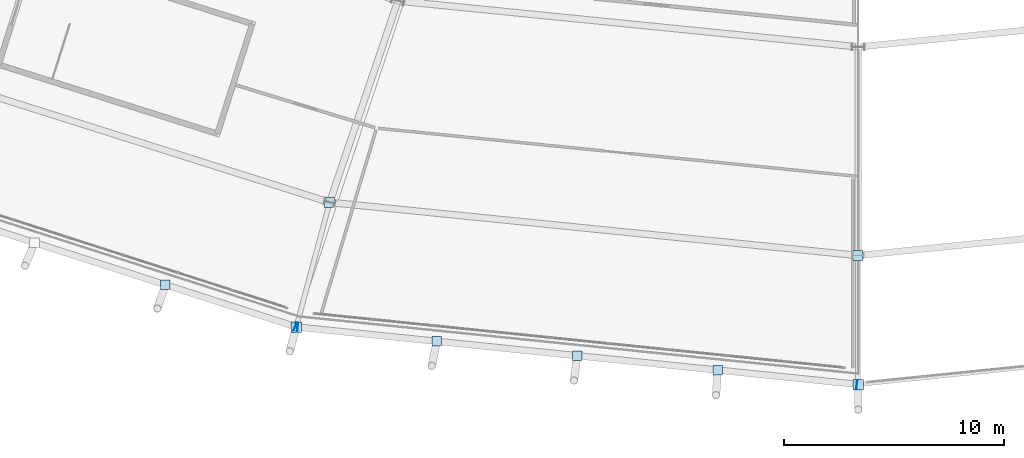
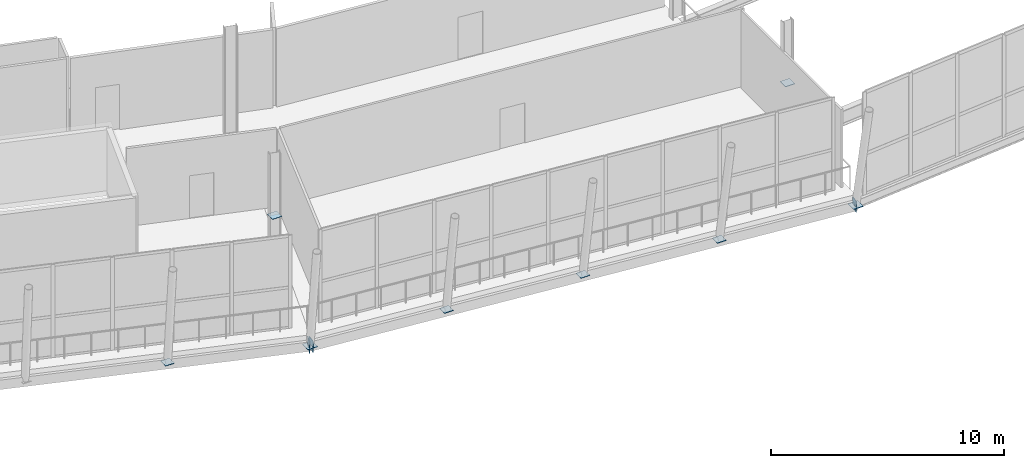
# One storey, part 66 of 99: 11 plates.
"""IFC4 building model written with IfcOpenShell, lengths in metres."""

from ifc_helpers import new_model, si_unit, direction, frame, origin, origin_2d, place, context, subcontext, project, spatial, rectangle, extrude, material, layer, layer_set, type_object, element, save


model = new_model("IFC4")

# Units and contexts
model_context = context("Model", 3, precision=1e-05, world=origin(), true_north=direction((0.0, 1.0)))
body_context = subcontext(model_context, "Body", "Model", "MODEL_VIEW")
ifc_project = project(units=[si_unit("LENGTHUNIT", "METRE"), si_unit("AREAUNIT", "SQUARE_METRE"), si_unit("VOLUMEUNIT", "CUBIC_METRE"), si_unit("PLANEANGLEUNIT", "RADIAN"), si_unit("MASSUNIT", "GRAM", prefix="KILO")], contexts=[model_context])

# Site, building, storey
site_placement = place(None, origin())
site = spatial("IfcSite", under=ifc_project, at=site_placement, CompositionType="ELEMENT")
building_placement = place(site_placement, origin())
building = spatial("IfcBuilding", under=site, at=building_placement, Name="Zlatoyarsky Gate Stadium", CompositionType="ELEMENT")
storey_placement = place(building_placement, frame((0.0, 0.0, 26.199951171875)))
storey = spatial("IfcBuildingStorey", under=building, at=storey_placement, Name="L05", CompositionType="ELEMENT", Elevation=26.199951171875)

# Plates
ifc_material = material(Name="Steel S355", Category="steel")
ifc_layer = layer(ifc_material, 0.02392578125)
ifc_layer_set = layer_set([ifc_layer], Name="Steel S355")
plate_type = type_object("IfcPlateType", Name="STEEL HOLLOW CHORD SPLICE SHEET 24", PredefinedType="SHEET", material=ifc_layer_set)
for number, where, z_axis, x_axis, name in (
    (1, (85.351318359375, 5.760009765625, -0.81005859375), (0.0, 0.0, 1.0), (0.951856313904, -0.306544544365, 0.0), "Hollow end cap ND-SP1 CAP-L05-SPD-16 B"),
    (2, (85.46826171875, 5.7353515625, -0.81005859375), (0.0, 0.0, 1.0), (0.994801813444, -0.101830015071, 0.0), "Hollow end cap ND-SP1 CAP-L05-SPD-17 A"),
    (3, (110.940185546875, 3.1279296875, -0.81005859375), (0.0, 0.0, 1.0), (0.994801813444, -0.101830015071, 0.0), "Hollow end cap ND-SP1 CAP-L05-SPD-17 B"),
):
    element("IfcPlate", number, at=place(storey_placement, frame(where, z_axis=z_axis, x_axis=x_axis)), inside=storey, type_object=plate_type, Name=name, PredefinedType="SHEET", context=body_context, shape_type="SweptSolid", body=[
        extrude(rectangle(XDim=0.02392578125, YDim=0.39990234375, at=origin_2d()), origin(), (0.0, 0.0, 1.0), 0.60009765625),
    ])
for number, where, z_axis, x_axis, name in (
    (4, (85.408447265625, 5.741455078125, -0.572021484375), (0.0, 0.0, 1.0), (1.0, 0.0, 0.0), "Node closure plate ND-SP1 NCAP-L05-RSTR-17"),
    (5, (111.0, 3.121826171875, -0.572021484375), (0.0, 0.0, 1.0), (1.0, 0.0, 0.0), "Node closure plate ND-SP1 NCAP-L05-RSTR-18"),
):
    element("IfcPlate", number, at=place(storey_placement, frame(where, z_axis=z_axis, x_axis=x_axis)), inside=storey, type_object=plate_type, Name=name, PredefinedType="SHEET", context=body_context, shape_type="SweptSolid", body=[
        extrude(rectangle(XDim=0.47998046875, YDim=0.47998046875, at=origin_2d()), origin(), (0.0, 0.0, 1.0), 0.02392578125),
    ])
for number, where, z_axis, x_axis, name in (
    (6, (79.446533203125, 7.66162109375, -0.52197265625), (0.0, 0.0, 1.0), (1.0, 0.0, 0.0), "Node closure plate ND-SP1 NCAP-RIB-16-3-3T"),
    (7, (91.806396484375, 5.086669921875, -0.52197265625), (0.0, 0.0, 1.0), (1.0, 0.0, 0.0), "Node closure plate ND-SP1 NCAP-RIB-17-1-3T"),
    (8, (98.204345703125, 4.431640625, -0.52197265625), (0.0, 0.0, 1.0), (1.0, 0.0, 0.0), "Node closure plate ND-SP1 NCAP-RIB-17-2-3T"),
    (9, (104.60205078125, 3.77685546875, -0.52197265625), (0.0, 0.0, 1.0), (1.0, 0.0, 0.0), "Node closure plate ND-SP1 NCAP-RIB-17-3-3T"),
):
    element("IfcPlate", number, at=place(storey_placement, frame(where, z_axis=z_axis, x_axis=x_axis)), inside=storey, type_object=plate_type, Name=name, PredefinedType="SHEET", context=body_context, shape_type="SweptSolid", body=[
        extrude(rectangle(XDim=0.43994140625, YDim=0.43994140625, at=origin_2d()), origin(), (0.0, 0.0, 1.0), 0.02392578125),
    ])
for number, where, z_axis, x_axis, name in (
    (10, (86.9296875, 11.419189453125, 2.2880859375), (0.0, 0.0, 1.0), (1.0, 0.0, 0.0), "Node closure plate ND-SP1 NCAP-BPROP-17"),
    (11, (111.0, 9.0, 2.2880859375), (0.0, 0.0, 1.0), (1.0, 0.0, 0.0), "Node closure plate ND-SP1 NCAP-BPROP-18"),
):
    element("IfcPlate", number, at=place(storey_placement, frame(where, z_axis=z_axis, x_axis=x_axis)), inside=storey, type_object=plate_type, Name=name, PredefinedType="SHEET", context=body_context, shape_type="SweptSolid", body=[
        extrude(rectangle(XDim=0.4599609375, YDim=0.4599609375, at=origin_2d()), origin(), (0.0, 0.0, 1.0), 0.02392578125),
    ])

save(model, "model.ifc")
